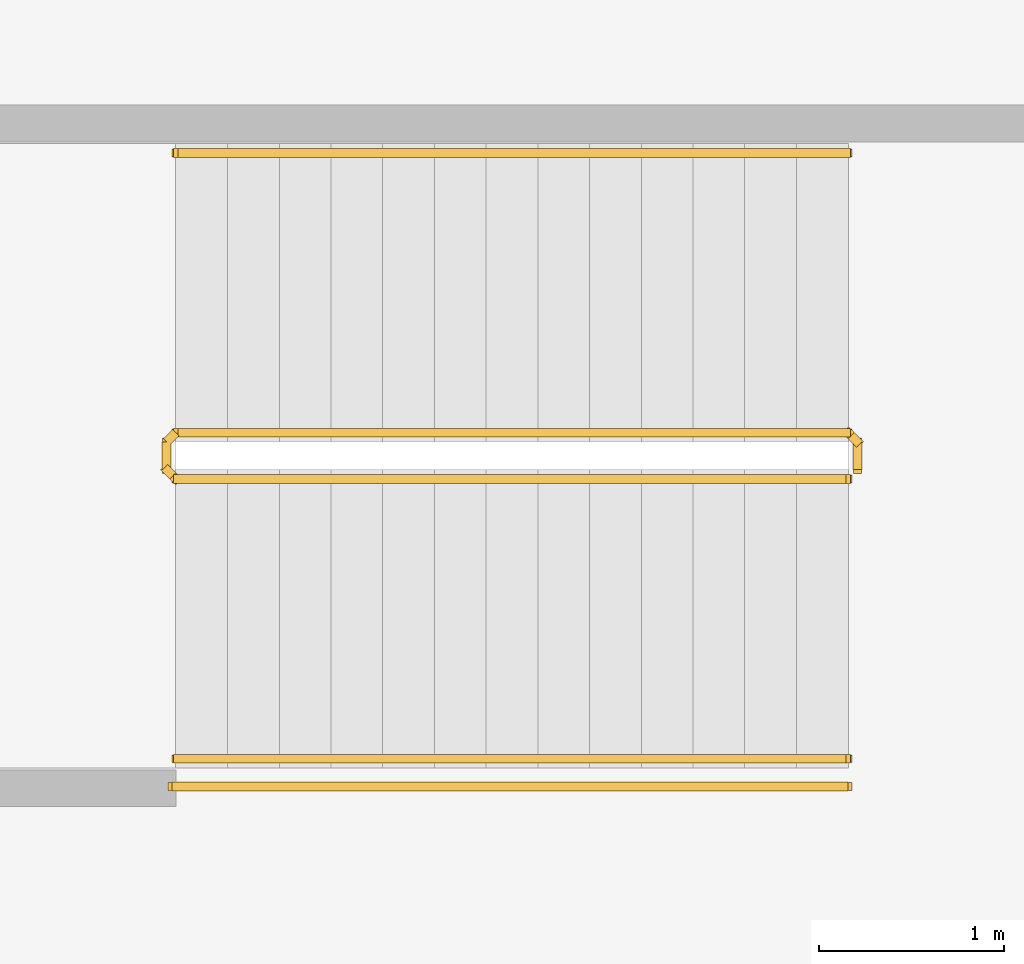
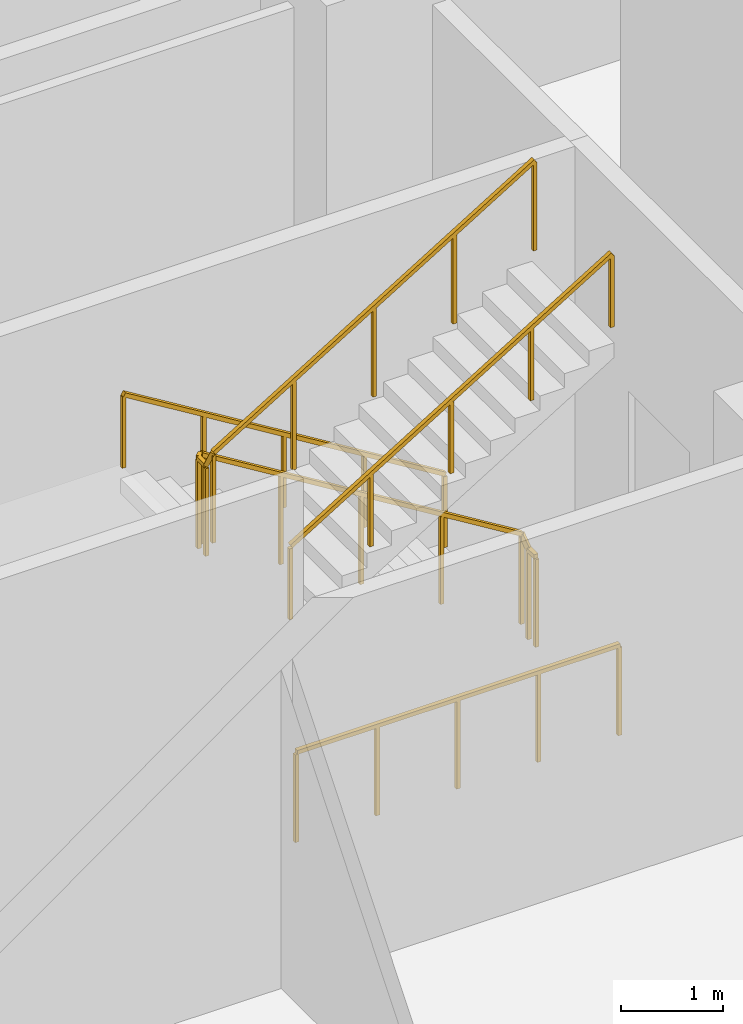
# One storey, part 31 of 31: 4 railings.
"""IFC4 building model written with IfcOpenShell, lengths in metres."""

import ifcopenshell
import ifcopenshell.guid

model = None  # the IFC model being written
_history = None  # IfcOwnerHistory: only IFC2X3 demands one
_inside = {}  # id of a spatial element -> (the spatial element, [elements in it])
_under = {}  # id of a project, library or spatial element -> (it, [spatial elements below it])
_declared = {}  # id of a project -> (the project, [libraries it declares])
_typed = {}  # id of a type object -> (the type object, [elements of that type])
_made_of = {}  # id of a material, layer set ... -> (it, [elements and type objects made of it])


def new_model(schema):
    """Start an empty IFC model of exactly this schema.

    Asked for "IFC4X3", IfcOpenShell would pick the latest addendum, in which some entities
    have other attributes; the version numbers below select the first issue.
    IFC2X3 requires an IfcOwnerHistory on every rooted entity: one is made here for all.
    """
    global model, _history
    if schema == "IFC4X3":
        model = ifcopenshell.file(schema_version=(4, 3, 0, 0))
    else:
        model = ifcopenshell.file(schema=schema)
    _inside.clear()
    _under.clear()
    _declared.clear()
    _typed.clear()
    _made_of.clear()
    _history = None
    if model.schema == "IFC2X3":
        org = make("IfcOrganization", Name="unknown")
        user = make(
            "IfcPersonAndOrganization",
            ThePerson=make("IfcPerson", FamilyName="unknown"),
            TheOrganization=org,
        )
        app = make(
            "IfcApplication",
            ApplicationDeveloper=org,
            Version="unknown",
            ApplicationFullName="unknown",
            ApplicationIdentifier="unknown",
        )
        _history = make(
            "IfcOwnerHistory",
            OwningUser=user,
            OwningApplication=app,
            ChangeAction="ADDED",
            CreationDate=0,
        )
    return model


def make(cls, **values):
    """One entity of the class cls with the attributes given. An attribute that is None is left unset."""
    return model.create_entity(
        cls, **{name: value for name, value in values.items() if value is not None}
    )


def rooted(cls, **values):
    """An entity with a GlobalId (a new one), such as an element, a storey or a relation."""
    return make(cls, GlobalId=ifcopenshell.guid.new(), OwnerHistory=_history, **values)


def si_unit(unit_type, name, prefix=None):
    """IfcSIUnit, for example si_unit("LENGTHUNIT", "METRE", prefix="MILLI")."""
    return make("IfcSIUnit", UnitType=unit_type, Prefix=prefix, Name=name)


def assignment(units):
    """IfcUnitAssignment: the units of a project."""
    return None if units is None else make("IfcUnitAssignment", Units=units)


def point(xyz):
    """IfcCartesianPoint."""
    return None if xyz is None else make("IfcCartesianPoint", Coordinates=xyz)


def direction(xyz):
    """IfcDirection."""
    return None if xyz is None else make("IfcDirection", DirectionRatios=xyz)


def frame(location, z_axis=None, x_axis=None):
    """IfcAxis2Placement3D, a coordinate frame: its origin and axes. An axis left out is left unset."""
    return make(
        "IfcAxis2Placement3D",
        Location=point(location),
        Axis=direction(z_axis),
        RefDirection=direction(x_axis),
    )


def frame_2d(location, x_axis=None):
    """IfcAxis2Placement2D, a coordinate frame in the plane: its origin and x axis."""
    return make(
        "IfcAxis2Placement2D", Location=point(location), RefDirection=direction(x_axis)
    )


def origin():
    """The frame at (0, 0, 0) with its axes left unset."""
    return frame((0.0, 0.0, 0.0))


def origin_2d():
    """The frame at (0, 0) in the plane with its x axis left unset."""
    return frame_2d((0.0, 0.0))


def place(relative_to, where):
    """IfcLocalPlacement: puts the frame where relative to a parent placement (None: the world)."""
    return make(
        "IfcLocalPlacement", PlacementRelTo=relative_to, RelativePlacement=where
    )


def context(
    kind, dimensions, precision=None, world=None, true_north=None, identifier=None
):
    """IfcGeometricRepresentationContext, for example the 3D "Model" context."""
    return make(
        "IfcGeometricRepresentationContext",
        ContextIdentifier=identifier,
        ContextType=kind,
        CoordinateSpaceDimension=dimensions,
        Precision=precision,
        WorldCoordinateSystem=world,
        TrueNorth=true_north,
    )


def subcontext(parent, identifier, kind, view, scale=None):
    """IfcGeometricRepresentationSubContext, for example "Body" below "Model"."""
    return make(
        "IfcGeometricRepresentationSubContext",
        ContextIdentifier=identifier,
        ContextType=kind,
        ParentContext=parent,
        TargetScale=scale,
        TargetView=view,
    )


def project(units=None, contexts=None):
    """IfcProject with its units and contexts."""
    return rooted(
        "IfcProject",
        Name="project",
        RepresentationContexts=contexts,
        UnitsInContext=assignment(units),
    )


def spatial(cls, under=None, at=None, **own):
    """A site, building, storey or space (cls), placed at a placement, below another one or the project."""
    s = rooted(cls, ObjectPlacement=at, **own)
    if under is not None:
        _under.setdefault(under.id(), (under, []))[1].append(s)
    return s


def profile(cls, at=None, kind="AREA", **sizes):
    """A parametric profile (cls). Its sizes go by their IFC names, for example OverallWidth=200.0."""
    return make(cls, ProfileType=kind, Position=at, **sizes)


def rectangle(**sizes):
    """IfcRectangleProfileDef."""
    return profile("IfcRectangleProfileDef", **sizes)


def extrude(swept, where, along, depth):
    """IfcExtrudedAreaSolid: the profile swept, set in the frame where, extruded along a direction by depth."""
    return make(
        "IfcExtrudedAreaSolid",
        SweptArea=swept,
        Position=where,
        ExtrudedDirection=direction(along),
        Depth=depth,
    )


def shape(context_of_items, identifier, shape_type, items):
    """IfcShapeRepresentation: the items that make up one representation, for example the "Body"."""
    return make(
        "IfcShapeRepresentation",
        ContextOfItems=context_of_items,
        RepresentationIdentifier=identifier,
        RepresentationType=shape_type,
        Items=items,
    )


def material(Name=None, Category=None):
    """IfcMaterial."""
    return make("IfcMaterial", Name=Name, Category=Category)


def made_of(thing, what):
    """Note that an element or type object is made of a material, layer set ...; save() writes the relation."""
    if what is not None:
        _made_of.setdefault(what.id(), (what, []))[1].append(thing)
    return thing


def type_object(cls, material=None, **own):
    """A type object (cls), such as IfcWallType, which elements share."""
    return made_of(rooted(cls, **own), material)


def element(
    cls,
    number,
    at=None,
    inside=None,
    cuts=None,
    type_object=None,
    material=None,
    context=None,
    identifier="Body",
    shape_type=None,
    held_by="IfcProductDefinitionShape",
    body=None,
    shapes=None,
    **own,
):
    """One element of the class cls, such as IfcWall. Its Tag is "e" and its number.

    at: its placement. inside: the storey or other place that contains it. cuts: it is an
    opening in that element (IfcRelVoidsElement). A single representation is given by context,
    identifier, shape_type and body (its items); several are given by shapes. held_by: the class
    of the entity that holds the representations. save() writes the other relations.
    """
    e = rooted(cls, Tag="e%d" % number, ObjectPlacement=at, **own)
    if body is not None:
        shapes = [shape(context, identifier, shape_type, body)]
    if shapes is not None:
        e.Representation = make(held_by, Representations=shapes)
    if inside is not None:
        _inside.setdefault(inside.id(), (inside, []))[1].append(e)
    if cuts is not None:
        rooted(
            "IfcRelVoidsElement", RelatingBuildingElement=cuts, RelatedOpeningElement=e
        )
    if type_object is not None:
        _typed.setdefault(type_object.id(), (type_object, []))[1].append(e)
    return made_of(e, material)


def aggregate(whole, parts):
    """IfcRelAggregates: a whole, such as a stair, and the parts it consists of."""
    return rooted("IfcRelAggregates", RelatingObject=whole, RelatedObjects=parts)


def save(model, path):
    """Write the relations noted so far, then the file.

    IfcRelAggregates (storeys below a building ...), IfcRelContainedInSpatialStructure (elements
    in a storey), IfcRelDefinesByType, IfcRelAssociatesMaterial and IfcRelDeclares: one each for
    every whole, place, type object, material and project.
    """
    for whole, parts in _under.values():
        aggregate(whole, parts)
    for where, things in _inside.values():
        rooted(
            "IfcRelContainedInSpatialStructure",
            RelatedElements=things,
            RelatingStructure=where,
        )
    for kind, things in _typed.values():
        rooted("IfcRelDefinesByType", RelatedObjects=things, RelatingType=kind)
    for what, things in _made_of.values():
        rooted("IfcRelAssociatesMaterial", RelatedObjects=things, RelatingMaterial=what)
    for by, libraries in _declared.values():
        rooted("IfcRelDeclares", RelatingContext=by, RelatedDefinitions=libraries)
    model.write(path)


model = new_model("IFC4")

# Units and contexts
model_context = context("Model", 3, precision=1e-05, world=origin(), true_north=direction((0.0, 1.0)))
body_context = subcontext(model_context, "Body", "Model", "MODEL_VIEW")
ifc_project = project(units=[si_unit("LENGTHUNIT", "METRE"), si_unit("AREAUNIT", "SQUARE_METRE"), si_unit("VOLUMEUNIT", "CUBIC_METRE"), si_unit("PLANEANGLEUNIT", "RADIAN"), si_unit("MASSUNIT", "GRAM", prefix="KILO")], contexts=[model_context])

# Site, building, storey
site_placement = place(None, origin())
site = spatial("IfcSite", under=ifc_project, at=site_placement, CompositionType="ELEMENT")
building_placement = place(site_placement, origin())
building = spatial("IfcBuilding", under=site, at=building_placement, Name="Chenar Terraces", CompositionType="ELEMENT")
storey_placement = place(building_placement, frame((0.0, 0.0, 12.0)))
storey = spatial("IfcBuildingStorey", under=building, at=storey_placement, Name="L02", CompositionType="ELEMENT", Elevation=12.0)

# Railings
ifc_material_1 = material(Name="Powder-coated steel", Category="steel")
railing_type_1 = type_object("IfcRailingType", Name="Stair guard 1100", PredefinedType="GUARDRAIL", material=ifc_material_1)
railing_1_placement = place(storey_placement, frame((10.985107421875, 57.675048828125, 4.800048828125)))
element("IfcRailing", 1, at=railing_1_placement, inside=storey, type_object=railing_type_1, Name="L02 PS3 stair guard 1", PredefinedType="GUARDRAIL", context=body_context, shape_type="SweptSolid", body=[
    extrude(rectangle(XDim=0.048095703125, YDim=0.048095703125, at=origin_2d()), frame((0.0, 0.0, 1.076171875), z_axis=(-0.852865859571, 0.0, -0.52213008492), x_axis=(0.0, -1.0, 0.0)), (0.0, 0.0, 1.0), 4.26806640625),
    extrude(rectangle(XDim=0.048095703125, YDim=0.048095703125, at=origin_2d()), frame((-3.64013671875, 0.0, -1.15234375), z_axis=(-0.269583098496, 0.269583098496, -0.924472771914), x_axis=(-0.707106781187, -0.707106781187, 0.0)), (0.0, 0.0, 1.0), 0.185546875),
    extrude(rectangle(XDim=0.048095703125, YDim=0.048095703125, at=origin_2d()), frame((-3.690185546875, 0.050048828125, -1.32421875), z_axis=(0.0, 1.0, 0.0), x_axis=(-1.0, 0.0, 0.0)), (0.0, 0.0, 1.0), 0.14990234375),
    extrude(rectangle(XDim=0.048095703125, YDim=0.048095703125, at=origin_2d()), frame((-3.690185546875, 0.199951171875, -1.32421875), z_axis=(0.707106781187, 0.707106781187, 0.0), x_axis=(-0.707106781187, 0.707106781187, 0.0)), (0.0, 0.0, 1.0), 0.07080078125),
    extrude(rectangle(XDim=0.048095703125, YDim=0.048095703125, at=origin_2d()), frame((-3.64013671875, 0.25, -1.32421875), z_axis=(0.852865859571, 0.0, -0.52213008492), x_axis=(0.0, 1.0, 0.0)), (0.0, 0.0, 1.0), 4.26806640625),
    extrude(rectangle(XDim=0.048095703125, YDim=0.048095703125, at=origin_2d()), frame((0.0, 0.25, -3.552734375), z_axis=(0.268689830376, -0.270006937388, -0.924609122178), x_axis=(0.708833529934, 0.705375805398, 0.0)), (0.0, 0.0, 1.0), 0.185302734375),
    extrude(rectangle(XDim=0.048095703125, YDim=0.048095703125, at=origin_2d()), frame((0.0498046875, 0.199951171875, -3.72412109375), z_axis=(0.0, -1.0, 0.0), x_axis=(1.0, 0.0, 0.0)), (0.0, 0.0, 1.0), 0.14990234375),
    extrude(rectangle(XDim=0.0419921875, YDim=0.0419921875, at=origin_2d()), origin(), (0.0, 0.0, 1.0), 1.052001953125),
    extrude(rectangle(XDim=0.0419921875, YDim=0.0419921875, at=origin_2d()), frame((-0.91015625, 0.0, -0.55712890625)), (0.0, 0.0, 1.0), 1.052001953125),
    extrude(rectangle(XDim=0.0419921875, YDim=0.0419921875, at=origin_2d()), frame((-1.820068359375, 0.0, -1.1142578125)), (0.0, 0.0, 1.0), 1.052001953125),
    extrude(rectangle(XDim=0.0419921875, YDim=0.0419921875, at=origin_2d()), frame((-2.72998046875, 0.0, -1.67138671875)), (0.0, 0.0, 1.0), 1.052001953125),
    extrude(rectangle(XDim=0.0419921875, YDim=0.0419921875, at=origin_2d()), frame((-3.64013671875, 0.0, -2.228515625)), (0.0, 0.0, 1.0), 1.052001953125),
    extrude(rectangle(XDim=0.0419921875, YDim=0.0419921875, at=origin_2d()), frame((-3.690185546875, 0.050048828125, -2.400146484375)), (0.0, 0.0, 1.0), 1.052001953125),
    extrude(rectangle(XDim=0.0419921875, YDim=0.0419921875, at=origin_2d()), frame((-3.690185546875, 0.199951171875, -2.400146484375)), (0.0, 0.0, 1.0), 1.052001953125),
    extrude(rectangle(XDim=0.0419921875, YDim=0.0419921875, at=origin_2d()), frame((-3.64013671875, 0.25, -2.400146484375)), (0.0, 0.0, 1.0), 1.052001953125),
    extrude(rectangle(XDim=0.0419921875, YDim=0.0419921875, at=origin_2d()), frame((-2.72998046875, 0.25, -2.957275390625)), (0.0, 0.0, 1.0), 1.052001953125),
    extrude(rectangle(XDim=0.0419921875, YDim=0.0419921875, at=origin_2d()), frame((-1.820068359375, 0.25, -3.514404296875)), (0.0, 0.0, 1.0), 1.052001953125),
    extrude(rectangle(XDim=0.0419921875, YDim=0.0419921875, at=origin_2d()), frame((-0.91015625, 0.25, -4.071533203125)), (0.0, 0.0, 1.0), 1.052001953125),
    extrude(rectangle(XDim=0.0419921875, YDim=0.0419921875, at=origin_2d()), frame((0.0, 0.25, -4.628662109375)), (0.0, 0.0, 1.0), 1.052001953125),
    extrude(rectangle(XDim=0.0419921875, YDim=0.0419921875, at=origin_2d()), frame((0.0498046875, 0.199951171875, -4.800048828125)), (0.0, 0.0, 1.0), 1.052001953125),
    extrude(rectangle(XDim=0.0419921875, YDim=0.0419921875, at=origin_2d()), frame((0.0498046875, 0.050048828125, -4.800048828125)), (0.0, 0.0, 1.0), 1.052001953125),
])
railing_2_placement = place(storey_placement, frame((7.32421875, 56.010009765625, 0.0)))
element("IfcRailing", 2, at=railing_2_placement, inside=storey, type_object=railing_type_1, Name="L02 PS3 stair guard 101", PredefinedType="GUARDRAIL", context=body_context, shape_type="SweptSolid", body=[
    extrude(rectangle(XDim=0.048095703125, YDim=0.048095703125, at=origin_2d()), frame((0.0, 0.0, 1.076171875), z_axis=(1.0, 0.0, 0.0), x_axis=(0.0, 1.0, 0.0)), (0.0, 0.0, 1.0), 3.660888671875),
    extrude(rectangle(XDim=0.0419921875, YDim=0.0419921875, at=origin_2d()), origin(), (0.0, 0.0, 1.0), 1.052001953125),
    extrude(rectangle(XDim=0.0419921875, YDim=0.0419921875, at=origin_2d()), frame((0.915283203125, 0.0, 0.0)), (0.0, 0.0, 1.0), 1.052001953125),
    extrude(rectangle(XDim=0.0419921875, YDim=0.0419921875, at=origin_2d()), frame((1.83056640625, 0.0, 0.0)), (0.0, 0.0, 1.0), 1.052001953125),
    extrude(rectangle(XDim=0.0419921875, YDim=0.0419921875, at=origin_2d()), frame((2.74560546875, 0.0, 0.0)), (0.0, 0.0, 1.0), 1.052001953125),
    extrude(rectangle(XDim=0.0419921875, YDim=0.0419921875, at=origin_2d()), frame((3.660888671875, 0.0, 0.0)), (0.0, 0.0, 1.0), 1.052001953125),
])
ifc_material_2 = material(Name="Powder-coated steel", Category="steel")
railing_type_2 = type_object("IfcRailingType", Name="Stair handrail 900", PredefinedType="HANDRAIL", material=ifc_material_2)
railing_3_placement = place(storey_placement, frame((10.985107421875, 59.43994140625, 0.17138671875)))
element("IfcRailing", 3, at=railing_3_placement, inside=storey, type_object=railing_type_2, Name="L02 PS3 stair handrail 1", PredefinedType="HANDRAIL", context=body_context, shape_type="SweptSolid", body=[
    extrude(rectangle(XDim=0.048095703125, YDim=0.048095703125, at=origin_2d()), frame((0.0, 0.0, 0.8759765625), z_axis=(-0.852865859571, 0.0, 0.52213008492), x_axis=(0.0, -1.0, 0.0)), (0.0, 0.0, 1.0), 4.26806640625),
    extrude(rectangle(XDim=0.0419921875, YDim=0.0419921875, at=origin_2d()), origin(), (0.0, 0.0, 1.0), 0.851806640625),
    extrude(rectangle(XDim=0.0419921875, YDim=0.0419921875, at=origin_2d()), frame((-0.91015625, 0.0, 0.55712890625)), (0.0, 0.0, 1.0), 0.851806640625),
    extrude(rectangle(XDim=0.0419921875, YDim=0.0419921875, at=origin_2d()), frame((-1.820068359375, 0.0, 1.1142578125)), (0.0, 0.0, 1.0), 0.851806640625),
    extrude(rectangle(XDim=0.0419921875, YDim=0.0419921875, at=origin_2d()), frame((-2.72998046875, 0.0, 1.67138671875)), (0.0, 0.0, 1.0), 0.851806640625),
    extrude(rectangle(XDim=0.0419921875, YDim=0.0419921875, at=origin_2d()), frame((-3.64013671875, 0.0, 2.228515625)), (0.0, 0.0, 1.0), 0.851806640625),
])
railing_4_placement = place(storey_placement, frame((7.344970703125, 56.159912109375, 2.571533203125)))
element("IfcRailing", 4, at=railing_4_placement, inside=storey, type_object=railing_type_2, Name="L02 PS3 stair handrail 2", PredefinedType="HANDRAIL", context=body_context, shape_type="SweptSolid", body=[
    extrude(rectangle(XDim=0.048095703125, YDim=0.048095703125, at=origin_2d()), frame((0.0, 0.0, 0.8759765625), z_axis=(0.852865859571, 0.0, 0.52213008492), x_axis=(0.0, 1.0, 0.0)), (0.0, 0.0, 1.0), 4.26806640625),
    extrude(rectangle(XDim=0.0419921875, YDim=0.0419921875, at=origin_2d()), origin(), (0.0, 0.0, 1.0), 0.851806640625),
    extrude(rectangle(XDim=0.0419921875, YDim=0.0419921875, at=origin_2d()), frame((0.91015625, 0.0, 0.55712890625)), (0.0, 0.0, 1.0), 0.851806640625),
    extrude(rectangle(XDim=0.0419921875, YDim=0.0419921875, at=origin_2d()), frame((1.820068359375, 0.0, 1.1142578125)), (0.0, 0.0, 1.0), 0.851806640625),
    extrude(rectangle(XDim=0.0419921875, YDim=0.0419921875, at=origin_2d()), frame((2.72998046875, 0.0, 1.67138671875)), (0.0, 0.0, 1.0), 0.851806640625),
    extrude(rectangle(XDim=0.0419921875, YDim=0.0419921875, at=origin_2d()), frame((3.64013671875, 0.0, 2.228515625)), (0.0, 0.0, 1.0), 0.851806640625),
])

save(model, "model.ifc")
